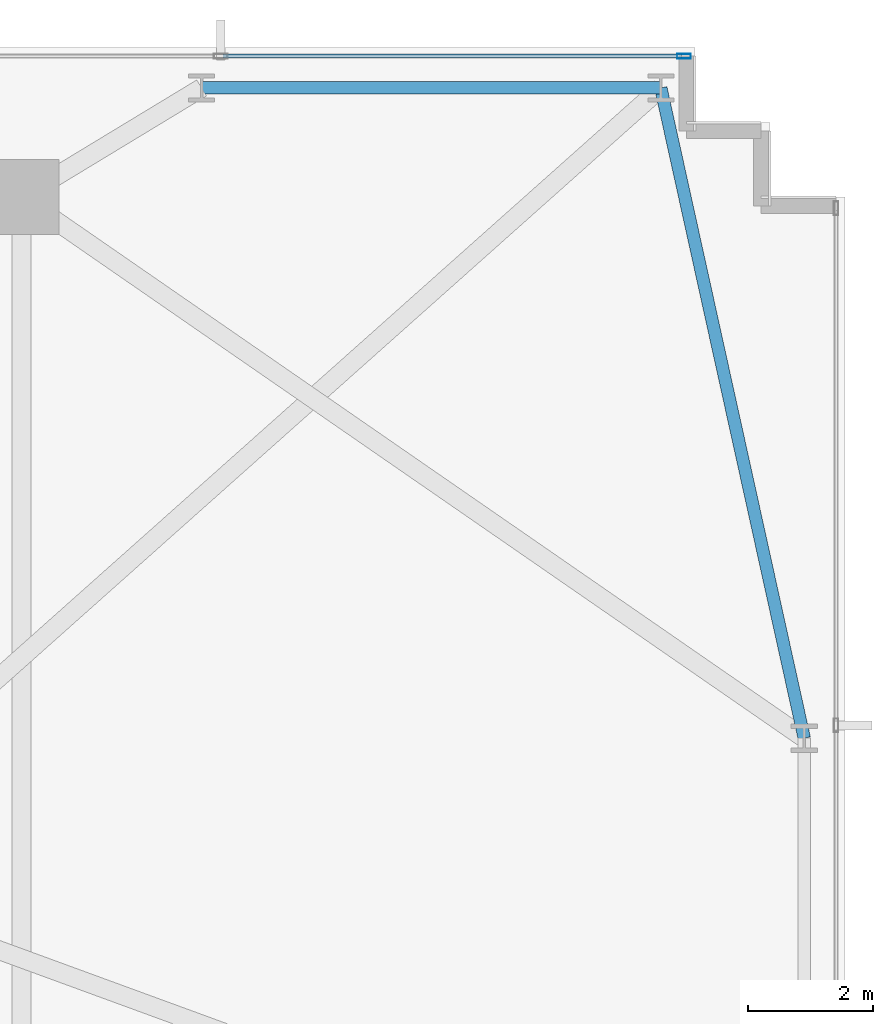
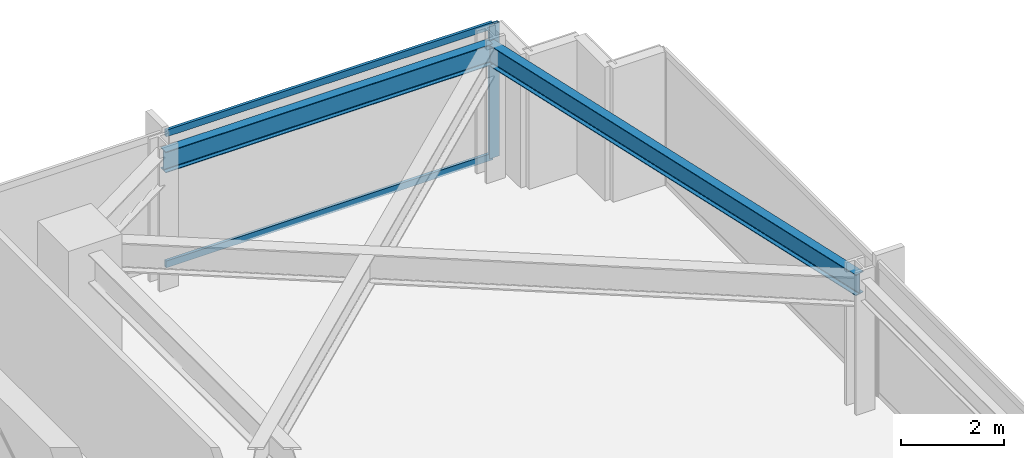
# One storey, part 21 of 32: 3 members, 2 beams, 1 element without a shape of its own.
"""IFC4 building model written with IfcOpenShell, lengths in metres."""

from ifc_helpers import new_model, si_unit, direction, frame, origin, origin_2d, place, context, subcontext, project, spatial, hollow_rectangle, i_section, extrude, material, material_profile, profile_set, type_object, element, aggregate, save


model = new_model("IFC4")

# Units and contexts
model_context = context("Model", 3, precision=1e-05, world=origin(), true_north=direction((0.0, 1.0)))
body_context = subcontext(model_context, "Body", "Model", "MODEL_VIEW")
ifc_project = project(units=[si_unit("LENGTHUNIT", "METRE"), si_unit("AREAUNIT", "SQUARE_METRE"), si_unit("VOLUMEUNIT", "CUBIC_METRE"), si_unit("PLANEANGLEUNIT", "RADIAN"), si_unit("MASSUNIT", "GRAM", prefix="KILO")], contexts=[model_context])

# Site, building, storey
site_placement = place(None, origin())
site = spatial("IfcSite", under=ifc_project, at=site_placement, CompositionType="ELEMENT")
building_placement = place(site_placement, origin())
building = spatial("IfcBuilding", under=site, at=building_placement, Name="Yelkora Congress Tower", CompositionType="ELEMENT")
storey_placement = place(building_placement, frame((0.0, 0.0, 50.800048828125)))
storey = spatial("IfcBuildingStorey", under=building, at=storey_placement, Name="L12", CompositionType="ELEMENT", Elevation=50.800048828125)

# Beams
ifc_material_1 = material(Name="Steel S355J2", Category="steel")
ifc_material_profile_1 = material_profile(ifc_material_1, i_section(OverallWidth=0.199951171875, OverallDepth=0.5, WebThickness=0.01025390625, FlangeThickness=0.01611328125, FilletRadius=0.02099609375, at=origin_2d()), Name="IPE 500")
ifc_profile_set_1 = profile_set([ifc_material_profile_1], Name="Steel S355J2")
beam_type = type_object("IfcBeamType", Name="BM-SPAN-IPE500", PredefinedType="SPANDREL", material=ifc_profile_set_1)
beam_1_placement = place(storey_placement, frame((70.14990234375, 37.52490234375, 2.929931640625), z_axis=(-0.215424087425, 0.97652058993, 0.0), x_axis=(-0.97652058993, -0.215424087425, 0.0)))
element("IfcBeam", 1, at=beam_1_placement, inside=storey, type_object=beam_type, Name="L12 Perimeter Beam 13", PredefinedType="SPANDREL", context=body_context, shape_type="SweptSolid", body=[
    extrude(i_section(OverallWidth=0.199951171875, OverallDepth=0.5, WebThickness=0.01025390625, FlangeThickness=0.01611328125, FilletRadius=0.02099609375, at=origin_2d()), origin(), (0.0, 0.0, 1.0), 10.67578125),
])
beam_2_placement = place(storey_placement, frame((67.85009765625, 47.949951171875, 2.929931640625), z_axis=(-1.0, 0.0, 0.0), x_axis=(0.0, -1.0, 0.0)))
element("IfcBeam", 2, at=beam_2_placement, inside=storey, type_object=beam_type, Name="L12 Perimeter Beam 14", PredefinedType="SPANDREL", context=body_context, shape_type="SweptSolid", body=[
    extrude(i_section(OverallWidth=0.199951171875, OverallDepth=0.5, WebThickness=0.01025390625, FlangeThickness=0.01611328125, FilletRadius=0.02099609375, at=origin_2d()), origin(), (0.0, 0.0, 1.0), 7.362548828125),
])

# Curtain wall, members
ifc_material_2 = material(Name="Anodised aluminium and insulated glass", Category="aluminium")
curtain_wall_type = type_object("IfcCurtainWallType", Name="CW-SYS-B1", PredefinedType="NOTDEFINED", material=ifc_material_2)
curtain_wall_placement = place(storey_placement, origin())
curtain_wall = element("IfcCurtainWall", 3, at=curtain_wall_placement, inside=storey, type_object=curtain_wall_type, Name="L12 Unitised Curtain Wall 10", PredefinedType="NOTDEFINED")
ifc_material_3 = material(Name="Anodised aluminium 6063-T6", Category="aluminium")
ifc_material_profile_2 = material_profile(ifc_material_3, hollow_rectangle(XDim=0.074951171875, YDim=0.219970703125, WallThickness=0.0048828125, at=origin_2d()), Name="ALU 75x220x5")
ifc_profile_set_2 = profile_set([ifc_material_profile_2], Name="Anodised aluminium 6063-T6")
member_type_1 = type_object("IfcMemberType", Name="MEM-ML-B1", PredefinedType="MULLION", material=ifc_profile_set_2)
member_1_placement = place(storey_placement, frame((68.222412109375, 48.4599609375, 0.0), z_axis=(0.0, 0.0, 1.0), x_axis=(0.0, 1.0, 0.0)))
member_1 = element("IfcMember", 4, at=member_1_placement, type_object=member_type_1, Name="CW-B1 mullion 9", PredefinedType="MULLION", context=body_context, shape_type="SweptSolid", body=[
    extrude(hollow_rectangle(XDim=0.074951171875, YDim=0.219970703125, WallThickness=0.0048828125, at=origin_2d()), origin(), (0.0, 0.0, 1.0), 3.179931640625),
])
ifc_material_profile_3 = material_profile(ifc_material_3, hollow_rectangle(XDim=0.06494140625, YDim=0.159912109375, WallThickness=0.00390625, at=origin_2d()), Name="ALU 65x160x4")
ifc_profile_set_3 = profile_set([ifc_material_profile_3], Name="Anodised aluminium 6063-T6")
member_type_2 = type_object("IfcMemberType", Name="MEM-TR-B1", PredefinedType="USERDEFINED", material=ifc_profile_set_3)
member_2_placement = place(storey_placement, frame((60.83251953125, 48.4599609375, 0.032470703125), z_axis=(1.0, 0.0, 0.0), x_axis=(0.0, 1.0, 0.0)))
member_2 = element("IfcMember", 5, at=member_2_placement, type_object=member_type_2, Name="CW-B1 transom 8.1", ObjectType="TRANSOM", PredefinedType="USERDEFINED", context=body_context, shape_type="SweptSolid", body=[
    extrude(hollow_rectangle(XDim=0.06494140625, YDim=0.159912109375, WallThickness=0.00390625, at=origin_2d()), origin(), (0.0, 0.0, 1.0), 7.3525390625),
])
member_3_placement = place(storey_placement, frame((60.83251953125, 48.4599609375, 3.1474609375), z_axis=(1.0, 0.0, 0.0), x_axis=(0.0, 1.0, 0.0)))
member_3 = element("IfcMember", 6, at=member_3_placement, type_object=member_type_2, Name="CW-B1 transom 8.2", ObjectType="TRANSOM", PredefinedType="USERDEFINED", context=body_context, shape_type="SweptSolid", body=[
    extrude(hollow_rectangle(XDim=0.06494140625, YDim=0.159912109375, WallThickness=0.00390625, at=origin_2d()), origin(), (0.0, 0.0, 1.0), 7.3525390625),
])
aggregate(curtain_wall, [member_1, member_2, member_3])

save(model, "model.ifc")
